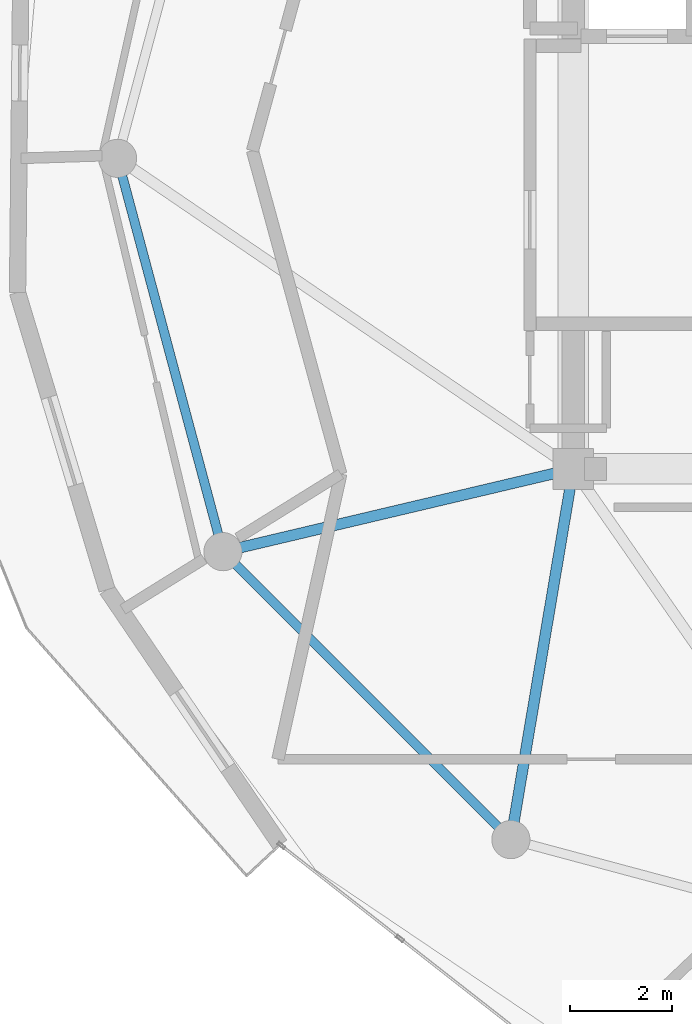
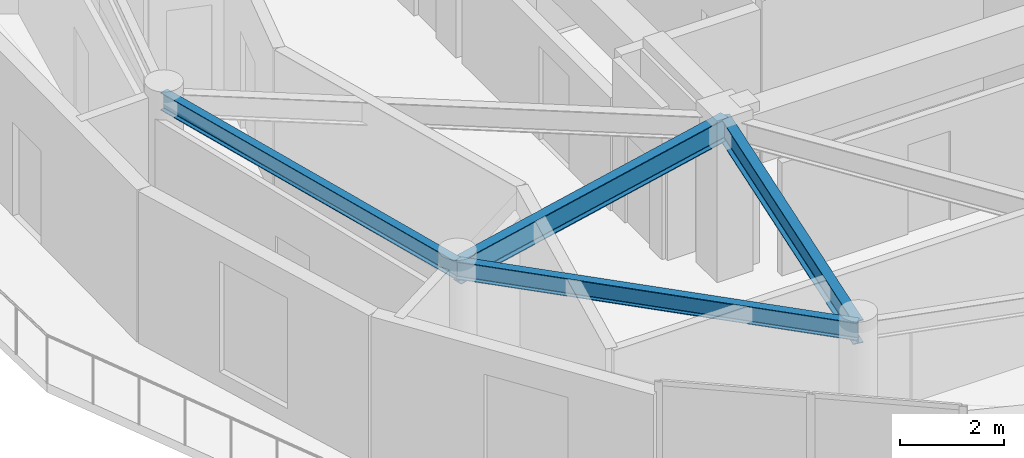
# One storey, part 3 of 19: 4 beams.
"""IFC4 building model written with IfcOpenShell, lengths in metres."""

from ifc_helpers import new_model, si_unit, direction, frame, origin, origin_2d, place, context, subcontext, project, spatial, i_section, extrude, material, material_profile, profile_set, type_object, element, save


model = new_model("IFC4")

# Units and contexts
model_context = context("Model", 3, precision=1e-05, world=origin(), true_north=direction((0.0, 1.0)))
body_context = subcontext(model_context, "Body", "Model", "MODEL_VIEW")
ifc_project = project(units=[si_unit("LENGTHUNIT", "METRE"), si_unit("AREAUNIT", "SQUARE_METRE"), si_unit("VOLUMEUNIT", "CUBIC_METRE"), si_unit("PLANEANGLEUNIT", "RADIAN"), si_unit("MASSUNIT", "GRAM", prefix="KILO")], contexts=[model_context])

# Site, building, storey
site_placement = place(None, origin())
site = spatial("IfcSite", under=ifc_project, at=site_placement, CompositionType="ELEMENT")
building_placement = place(site_placement, origin())
building = spatial("IfcBuilding", under=site, at=building_placement, Name="Solvirekh Grand Hotel", CompositionType="ELEMENT")
storey_placement = place(building_placement, frame((0.0, 0.0, 254.39990234375)))
storey = spatial("IfcBuildingStorey", under=building, at=storey_placement, Name="L66", CompositionType="ELEMENT", Elevation=254.39990234375)

# Beams
ifc_material = material(Name="Steel S355", Category="steel")
ifc_material_profile_1 = material_profile(ifc_material, i_section(OverallWidth=0.2119140625, OverallDepth=0.5439453125, WebThickness=0.011962890625, FlangeThickness=0.01904296875, FilletRadius=0.013916015625, at=origin_2d()), Name="W530X123")
ifc_profile_set_1 = profile_set([ifc_material_profile_1], Name="Steel S355")
beam_type_1 = type_object("IfcBeamType", Name="Beam_Radial_W530H", PredefinedType="BEAM", material=ifc_profile_set_1)
beam_1_placement = place(storey_placement, frame((-6.5, -6.10009765625, 3.298095703125), z_axis=(-0.973221147544, -0.229870828888, 0.0), x_axis=(0.229870828888, -0.973221147544, 0.0)))
element("IfcBeam", 1, at=beam_1_placement, inside=storey, type_object=beam_type_1, Name="L66 radial floor beam R08", PredefinedType="BEAM", context=body_context, shape_type="SweptSolid", body=[
    extrude(i_section(OverallWidth=0.2119140625, OverallDepth=0.5439453125, WebThickness=0.011962890625, FlangeThickness=0.01904296875, FilletRadius=0.013916015625, at=origin_2d()), origin(), (0.0, 0.0, 1.0), 7.069091796875),
])
beam_2_placement = place(storey_placement, frame((-6.5, -6.10009765625, 3.298095703125), z_axis=(-0.165954049106, -0.986133486697, 0.0), x_axis=(0.986133486697, -0.165954049106, 0.0)))
element("IfcBeam", 2, at=beam_2_placement, inside=storey, type_object=beam_type_1, Name="L66 radial floor beam R09", PredefinedType="BEAM", context=body_context, shape_type="SweptSolid", body=[
    extrude(i_section(OverallWidth=0.2119140625, OverallDepth=0.5439453125, WebThickness=0.011962890625, FlangeThickness=0.01904296875, FilletRadius=0.013916015625, at=origin_2d()), origin(), (0.0, 0.0, 1.0), 7.382080078125),
])
ifc_material_profile_2 = material_profile(ifc_material, i_section(OverallWidth=0.180908203125, OverallDepth=0.4169921875, WebThickness=0.010009765625, FlangeThickness=0.01611328125, FilletRadius=0.011962890625, at=origin_2d()), Name="W410X85")
ifc_profile_set_2 = profile_set([ifc_material_profile_2], Name="Steel S355")
beam_type_2 = type_object("IfcBeamType", Name="Spandrel_Ring_W410", PredefinedType="SPANDREL", material=ifc_profile_set_2)
beam_3_placement = place(storey_placement, frame((-15.449951171875, 0.0, 3.362060546875), z_axis=(0.258834757072, -0.965921616143, 0.0), x_axis=(0.965921616143, 0.258834757072, 0.0)))
element("IfcBeam", 3, at=beam_3_placement, inside=storey, type_object=beam_type_2, Name="L66 perimeter spandrel beam 7", PredefinedType="SPANDREL", context=body_context, shape_type="SweptSolid", body=[
    extrude(i_section(OverallWidth=0.180908203125, OverallDepth=0.4169921875, WebThickness=0.010009765625, FlangeThickness=0.01611328125, FilletRadius=0.011962890625, at=origin_2d()), origin(), (0.0, 0.0, 1.0), 7.99755859375),
])
beam_4_placement = place(storey_placement, frame((-13.3798828125, -7.72509765625, 3.362060546875), z_axis=(0.707106781187, -0.707106781187, 0.0), x_axis=(0.707106781187, 0.707106781187, 0.0)))
element("IfcBeam", 4, at=beam_4_placement, inside=storey, type_object=beam_type_2, Name="L66 perimeter spandrel beam 8", PredefinedType="SPANDREL", context=body_context, shape_type="SweptSolid", body=[
    extrude(i_section(OverallWidth=0.180908203125, OverallDepth=0.4169921875, WebThickness=0.010009765625, FlangeThickness=0.01611328125, FilletRadius=0.011962890625, at=origin_2d()), origin(), (0.0, 0.0, 1.0), 7.9970703125),
])

save(model, "model.ifc")
